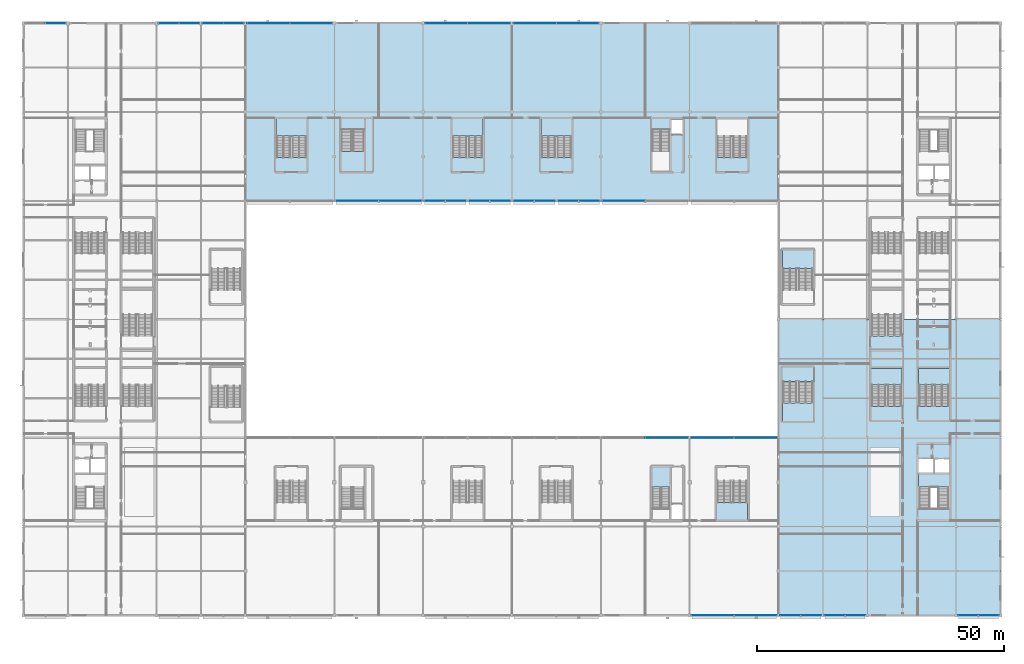
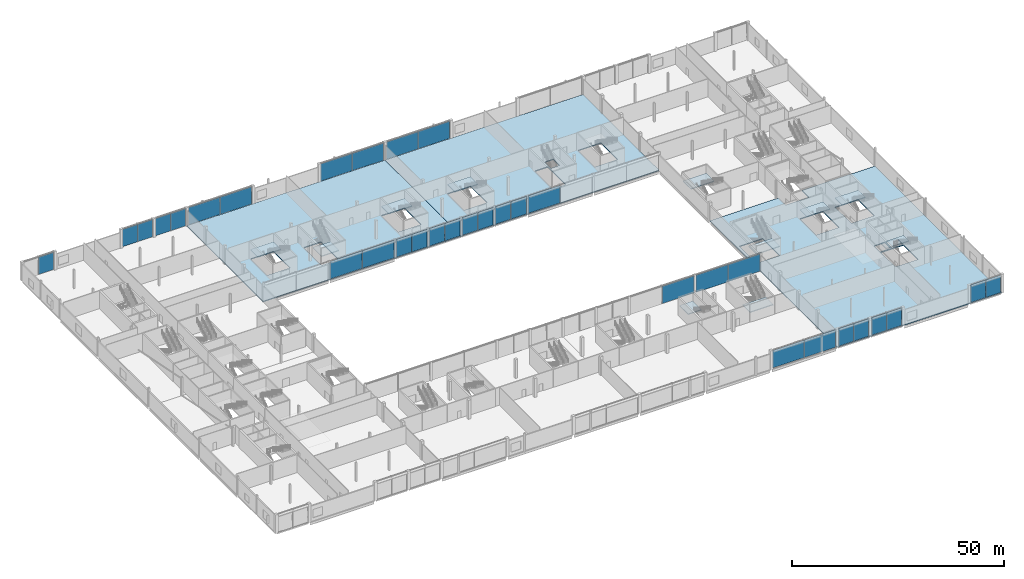
# One storey, part 56 of 111: 33 plates, 14 slabs, 29 elements without a shape of their own.
"""IFC4 building model written with IfcOpenShell, lengths in metres."""

from ifc_helpers import new_model, si_unit, direction, frame, origin, origin_2d, place, context, subcontext, project, spatial, polyline, rectangle, outline, extrude, material, layer, layer_set, type_object, element, aggregate, save


model = new_model("IFC4")

# Units and contexts
model_context = context("Model", 3, precision=1e-05, world=origin(), true_north=direction((0.0, 1.0)))
body_context = subcontext(model_context, "Body", "Model", "MODEL_VIEW")
ifc_project = project(units=[si_unit("LENGTHUNIT", "METRE"), si_unit("AREAUNIT", "SQUARE_METRE"), si_unit("VOLUMEUNIT", "CUBIC_METRE"), si_unit("PLANEANGLEUNIT", "RADIAN"), si_unit("MASSUNIT", "GRAM", prefix="KILO")], contexts=[model_context])

# Site, building, storey
site_placement = place(None, origin())
site = spatial("IfcSite", under=ifc_project, at=site_placement, CompositionType="ELEMENT")
building_placement = place(site_placement, origin())
building = spatial("IfcBuilding", under=site, at=building_placement, Name="Kisiwana Market Hall", CompositionType="ELEMENT")
storey_placement = place(building_placement, frame((0.0, 0.0, 11.39990234375)))
storey = spatial("IfcBuildingStorey", under=building, at=storey_placement, Name="L02", CompositionType="ELEMENT", Elevation=11.39990234375)

# Curtain wall, plates
ifc_material_1 = material(Name="Double-glazed solar-control low-E IGU", Category="glass")
ifc_layer_1 = layer(ifc_material_1, 0.159912109375)
ifc_layer_set_1 = layer_set([ifc_layer_1], Name="CW-GLD-W-6400")
curtain_wall_type_1 = type_object("IfcCurtainWallType", Name="CW-GLD-W-6400", PredefinedType="USERDEFINED", material=ifc_layer_set_1)
curtain_wall_1_placement = place(storey_placement, origin())
curtain_wall_1 = element("IfcCurtainWall", 1, at=curtain_wall_1_placement, inside=storey, type_object=curtain_wall_type_1, Name="Unitised curtain wall CW-059 (L02)", ObjectType="UNITISED CURTAIN WALL", PredefinedType="USERDEFINED")
ifc_material_2 = material(Name="Double-glazed solar-control low-E IGU", Category="glass")
ifc_layer_2 = layer(ifc_material_2, 0.02392578125)
ifc_layer_set_2 = layer_set([ifc_layer_2], Name="PL-IGU-24")
plate_type_1 = type_object("IfcPlateType", Name="PL-IGU-24", PredefinedType="CURTAIN_PANEL", material=ifc_layer_set_2)
plate_1_placement = place(storey_placement, frame((139.677490234375, 0.0, 0.06005859375), z_axis=(0.0, 0.0, 1.0), x_axis=(1.0, 0.0, 0.0)))
plate_1 = element("IfcPlate", 2, at=plate_1_placement, type_object=plate_type_1, Name="CW-059 panel 1.1", PredefinedType="CURTAIN_PANEL", context=body_context, shape_type="SweptSolid", body=[
    extrude(rectangle(XDim=8.5849609375, YDim=0.02392578125, at=origin_2d()), origin(), (0.0, 0.0, 1.0), 5.030029296875),
])
plate_2_placement = place(storey_placement, frame((148.322509765625, 0.0, 0.06005859375), z_axis=(0.0, 0.0, 1.0), x_axis=(1.0, 0.0, 0.0)))
plate_2 = element("IfcPlate", 3, at=plate_2_placement, type_object=plate_type_1, Name="CW-059 panel 2.1", PredefinedType="CURTAIN_PANEL", context=body_context, shape_type="SweptSolid", body=[
    extrude(rectangle(XDim=8.5849609375, YDim=0.02392578125, at=origin_2d()), origin(), (0.0, 0.0, 1.0), 5.030029296875),
])
aggregate(curtain_wall_1, [plate_1, plate_2])

curtain_wall_2_placement = place(storey_placement, origin())
curtain_wall_2 = element("IfcCurtainWall", 4, at=curtain_wall_2_placement, inside=storey, type_object=curtain_wall_type_1, Name="Unitised curtain wall CW-061 (L02)", ObjectType="UNITISED CURTAIN WALL", PredefinedType="USERDEFINED")
plate_3_placement = place(storey_placement, frame((164.427490234375, 0.0, 0.06005859375), z_axis=(0.0, 0.0, 1.0), x_axis=(1.0, 0.0, 0.0)))
plate_3 = element("IfcPlate", 5, at=plate_3_placement, type_object=plate_type_1, Name="CW-061 panel 1.1", PredefinedType="CURTAIN_PANEL", context=body_context, shape_type="SweptSolid", body=[
    extrude(rectangle(XDim=4.0849609375, YDim=0.02392578125, at=origin_2d()), origin(), (0.0, 0.0, 1.0), 5.030029296875),
])
plate_4_placement = place(storey_placement, frame((168.572509765625, 0.0, 0.06005859375), z_axis=(0.0, 0.0, 1.0), x_axis=(1.0, 0.0, 0.0)))
plate_4 = element("IfcPlate", 6, at=plate_4_placement, type_object=plate_type_1, Name="CW-061 panel 2.1", PredefinedType="CURTAIN_PANEL", context=body_context, shape_type="SweptSolid", body=[
    extrude(rectangle(XDim=4.0849609375, YDim=0.02392578125, at=origin_2d()), origin(), (0.0, 0.0, 1.0), 5.030029296875),
])
aggregate(curtain_wall_2, [plate_3, plate_4])

# Curtain wall, plate
ifc_material_3 = material(Name="Double-glazed solar-control low-E IGU", Category="glass")
ifc_layer_3 = layer(ifc_material_3, 0.159912109375)
ifc_layer_set_3 = layer_set([ifc_layer_3], Name="CW-GLD-E-7200")
curtain_wall_type_2 = type_object("IfcCurtainWallType", Name="CW-GLD-E-7200", PredefinedType="USERDEFINED", material=ifc_layer_set_3)
curtain_wall_3_placement = place(storey_placement, origin())
curtain_wall_3 = element("IfcCurtainWall", 7, at=curtain_wall_3_placement, inside=storey, type_object=curtain_wall_type_2, Name="Unitised curtain wall CW-069 (L02)", ObjectType="UNITISED CURTAIN WALL", PredefinedType="USERDEFINED")
plate_5_placement = place(storey_placement, frame((130.382080078125, 36.0, 0.06005859375), z_axis=(0.0, 0.0, 1.0), x_axis=(1.0, 0.0, 0.0)))
plate_5 = element("IfcPlate", 8, at=plate_5_placement, type_object=plate_type_1, Name="CW-069 panel 2.1", PredefinedType="CURTAIN_PANEL", context=body_context, shape_type="SweptSolid", body=[
    extrude(rectangle(XDim=8.7041015625, YDim=0.02392578125, at=origin_2d()), origin(), (0.0, 0.0, 1.0), 5.030029296875),
])
aggregate(curtain_wall_3, [plate_5])

# Curtain wall, plates
curtain_wall_4_placement = place(storey_placement, origin())
curtain_wall_4 = element("IfcCurtainWall", 9, at=curtain_wall_4_placement, inside=storey, type_object=curtain_wall_type_1, Name="Unitised curtain wall CW-073 (L02)", ObjectType="UNITISED CURTAIN WALL", PredefinedType="USERDEFINED")
plate_6_placement = place(storey_placement, frame((83.367919921875, 84.0, 0.06005859375), z_axis=(0.0, 0.0, 1.0), x_axis=(1.0, 0.0, 0.0)))
plate_6 = element("IfcPlate", 10, at=plate_6_placement, type_object=plate_type_1, Name="CW-073 panel 1.1", PredefinedType="CURTAIN_PANEL", context=body_context, shape_type="SweptSolid", body=[
    extrude(rectangle(XDim=4.2041015625, YDim=0.02392578125, at=origin_2d()), origin(), (0.0, 0.0, 1.0), 5.030029296875),
])
plate_7_placement = place(storey_placement, frame((87.632080078125, 84.0, 0.06005859375), z_axis=(0.0, 0.0, 1.0), x_axis=(1.0, 0.0, 0.0)))
plate_7 = element("IfcPlate", 11, at=plate_7_placement, type_object=plate_type_1, Name="CW-073 panel 2.1", PredefinedType="CURTAIN_PANEL", context=body_context, shape_type="SweptSolid", body=[
    extrude(rectangle(XDim=4.2041015625, YDim=0.02392578125, at=origin_2d()), origin(), (0.0, 0.0, 1.0), 5.030029296875),
])
aggregate(curtain_wall_4, [plate_6, plate_7])

curtain_wall_5_placement = place(storey_placement, origin())
curtain_wall_5 = element("IfcCurtainWall", 12, at=curtain_wall_5_placement, inside=storey, type_object=curtain_wall_type_1, Name="Unitised curtain wall CW-075 (L02)", ObjectType="UNITISED CURTAIN WALL", PredefinedType="USERDEFINED")
plate_8_placement = place(storey_placement, frame((101.367919921875, 84.0, 0.06005859375), z_axis=(0.0, 0.0, 1.0), x_axis=(1.0, 0.0, 0.0)))
plate_8 = element("IfcPlate", 13, at=plate_8_placement, type_object=plate_type_1, Name="CW-075 panel 1.1", PredefinedType="CURTAIN_PANEL", context=body_context, shape_type="SweptSolid", body=[
    extrude(rectangle(XDim=4.2041015625, YDim=0.02392578125, at=origin_2d()), origin(), (0.0, 0.0, 1.0), 5.030029296875),
])
plate_9_placement = place(storey_placement, frame((105.632080078125, 84.0, 0.06005859375), z_axis=(0.0, 0.0, 1.0), x_axis=(1.0, 0.0, 0.0)))
plate_9 = element("IfcPlate", 14, at=plate_9_placement, type_object=plate_type_1, Name="CW-075 panel 2.1", PredefinedType="CURTAIN_PANEL", context=body_context, shape_type="SweptSolid", body=[
    extrude(rectangle(XDim=4.2041015625, YDim=0.02392578125, at=origin_2d()), origin(), (0.0, 0.0, 1.0), 5.030029296875),
])
aggregate(curtain_wall_5, [plate_8, plate_9])

# Curtain wall, plate
curtain_wall_6_placement = place(storey_placement, origin())
curtain_wall_6 = element("IfcCurtainWall", 15, at=curtain_wall_6_placement, inside=storey, type_object=curtain_wall_type_1, Name="Unitised curtain wall CW-077 (L02)", ObjectType="UNITISED CURTAIN WALL", PredefinedType="USERDEFINED")
plate_10_placement = place(storey_placement, frame((121.617919921875, 84.0, 0.06005859375), z_axis=(0.0, 0.0, 1.0), x_axis=(1.0, 0.0, 0.0)))
plate_10 = element("IfcPlate", 16, at=plate_10_placement, type_object=plate_type_1, Name="CW-077 panel 1.1", PredefinedType="CURTAIN_PANEL", context=body_context, shape_type="SweptSolid", body=[
    extrude(rectangle(XDim=8.7041015625, YDim=0.02392578125, at=origin_2d()), origin(), (0.0, 0.0, 1.0), 5.030029296875),
])
aggregate(curtain_wall_6, [plate_10])

curtain_wall_7_placement = place(storey_placement, origin())
curtain_wall_7 = element("IfcCurtainWall", 17, at=curtain_wall_7_placement, inside=storey, type_object=curtain_wall_type_2, Name="Unitised curtain wall CW-079 (L02)", ObjectType="UNITISED CURTAIN WALL", PredefinedType="USERDEFINED")
plate_11_placement = place(storey_placement, frame((6.572509765625, 120.0, 0.06005859375), z_axis=(0.0, 0.0, 1.0), x_axis=(1.0, 0.0, 0.0)))
plate_11 = element("IfcPlate", 18, at=plate_11_placement, type_object=plate_type_1, Name="CW-079 panel 2.1", PredefinedType="CURTAIN_PANEL", context=body_context, shape_type="SweptSolid", body=[
    extrude(rectangle(XDim=4.0849609375, YDim=0.02392578125, at=origin_2d()), origin(), (0.0, 0.0, 1.0), 5.030029296875),
])
aggregate(curtain_wall_7, [plate_11])

# Curtain wall, plates
curtain_wall_8_placement = place(storey_placement, origin())
curtain_wall_8 = element("IfcCurtainWall", 19, at=curtain_wall_8_placement, inside=storey, type_object=curtain_wall_type_2, Name="Unitised curtain wall CW-081 (L02)", ObjectType="UNITISED CURTAIN WALL", PredefinedType="USERDEFINED")
plate_12_placement = place(storey_placement, frame((38.427490234375, 120.0, 0.06005859375), z_axis=(0.0, 0.0, 1.0), x_axis=(1.0, 0.0, 0.0)))
plate_12 = element("IfcPlate", 20, at=plate_12_placement, type_object=plate_type_1, Name="CW-081 panel 1.1", PredefinedType="CURTAIN_PANEL", context=body_context, shape_type="SweptSolid", body=[
    extrude(rectangle(XDim=4.0849609375, YDim=0.02392578125, at=origin_2d()), origin(), (0.0, 0.0, 1.0), 5.030029296875),
])
plate_13_placement = place(storey_placement, frame((42.572509765625, 120.0, 0.06005859375), z_axis=(0.0, 0.0, 1.0), x_axis=(1.0, 0.0, 0.0)))
plate_13 = element("IfcPlate", 21, at=plate_13_placement, type_object=plate_type_1, Name="CW-081 panel 2.1", PredefinedType="CURTAIN_PANEL", context=body_context, shape_type="SweptSolid", body=[
    extrude(rectangle(XDim=4.0849609375, YDim=0.02392578125, at=origin_2d()), origin(), (0.0, 0.0, 1.0), 5.030029296875),
])
aggregate(curtain_wall_8, [plate_12, plate_13])

curtain_wall_9_placement = place(storey_placement, origin())
curtain_wall_9 = element("IfcCurtainWall", 22, at=curtain_wall_9_placement, inside=storey, type_object=curtain_wall_type_2, Name="Unitised curtain wall CW-083 (L02)", ObjectType="UNITISED CURTAIN WALL", PredefinedType="USERDEFINED")
plate_14_placement = place(storey_placement, frame((85.677490234375, 120.0, 0.06005859375), z_axis=(0.0, 0.0, 1.0), x_axis=(1.0, 0.0, 0.0)))
plate_14 = element("IfcPlate", 23, at=plate_14_placement, type_object=plate_type_1, Name="CW-083 panel 1.1", PredefinedType="CURTAIN_PANEL", context=body_context, shape_type="SweptSolid", body=[
    extrude(rectangle(XDim=8.5849609375, YDim=0.02392578125, at=origin_2d()), origin(), (0.0, 0.0, 1.0), 5.030029296875),
])
plate_15_placement = place(storey_placement, frame((94.322509765625, 120.0, 0.06005859375), z_axis=(0.0, 0.0, 1.0), x_axis=(1.0, 0.0, 0.0)))
plate_15 = element("IfcPlate", 24, at=plate_15_placement, type_object=plate_type_1, Name="CW-083 panel 2.1", PredefinedType="CURTAIN_PANEL", context=body_context, shape_type="SweptSolid", body=[
    extrude(rectangle(XDim=8.5849609375, YDim=0.02392578125, at=origin_2d()), origin(), (0.0, 0.0, 1.0), 5.030029296875),
])
aggregate(curtain_wall_9, [plate_14, plate_15])

curtain_wall_10_placement = place(storey_placement, origin())
curtain_wall_10 = element("IfcCurtainWall", 25, at=curtain_wall_10_placement, inside=storey, type_object=curtain_wall_type_1, Name="Unitised curtain wall CW-060 (L02)", ObjectType="UNITISED CURTAIN WALL", PredefinedType="USERDEFINED")
ifc_material_4 = material(Name="Double-glazed acoustic laminated IGU", Category="glass")
ifc_layer_4 = layer(ifc_material_4, 0.028076171875)
ifc_layer_set_4 = layer_set([ifc_layer_4], Name="PL-IGU-28")
plate_type_2 = type_object("IfcPlateType", Name="PL-IGU-28", PredefinedType="CURTAIN_PANEL", material=ifc_layer_set_4)
plate_16_placement = place(storey_placement, frame((155.427490234375, 0.0, 0.06005859375), z_axis=(0.0, 0.0, 1.0), x_axis=(1.0, 0.0, 0.0)))
plate_16 = element("IfcPlate", 26, at=plate_16_placement, type_object=plate_type_2, Name="CW-060 panel 1.1", PredefinedType="CURTAIN_PANEL", context=body_context, shape_type="SweptSolid", body=[
    extrude(rectangle(XDim=4.0849609375, YDim=0.028076171875, at=origin_2d()), origin(), (0.0, 0.0, 1.0), 5.030029296875),
])
plate_17_placement = place(storey_placement, frame((159.572509765625, 0.0, 0.06005859375), z_axis=(0.0, 0.0, 1.0), x_axis=(1.0, 0.0, 0.0)))
plate_17 = element("IfcPlate", 27, at=plate_17_placement, type_object=plate_type_2, Name="CW-060 panel 2.1", PredefinedType="CURTAIN_PANEL", context=body_context, shape_type="SweptSolid", body=[
    extrude(rectangle(XDim=4.0849609375, YDim=0.028076171875, at=origin_2d()), origin(), (0.0, 0.0, 1.0), 5.030029296875),
])
aggregate(curtain_wall_10, [plate_16, plate_17])

curtain_wall_11_placement = place(storey_placement, origin())
curtain_wall_11 = element("IfcCurtainWall", 28, at=curtain_wall_11_placement, inside=storey, type_object=curtain_wall_type_1, Name="Unitised curtain wall CW-062 (L02)", ObjectType="UNITISED CURTAIN WALL", PredefinedType="USERDEFINED")
plate_18_placement = place(storey_placement, frame((191.427490234375, 0.0, 0.06005859375), z_axis=(0.0, 0.0, 1.0), x_axis=(1.0, 0.0, 0.0)))
plate_18 = element("IfcPlate", 29, at=plate_18_placement, type_object=plate_type_2, Name="CW-062 panel 1.1", PredefinedType="CURTAIN_PANEL", context=body_context, shape_type="SweptSolid", body=[
    extrude(rectangle(XDim=4.0849609375, YDim=0.028076171875, at=origin_2d()), origin(), (0.0, 0.0, 1.0), 5.030029296875),
])
plate_19_placement = place(storey_placement, frame((195.572509765625, 0.0, 0.06005859375), z_axis=(0.0, 0.0, 1.0), x_axis=(1.0, 0.0, 0.0)))
plate_19 = element("IfcPlate", 30, at=plate_19_placement, type_object=plate_type_2, Name="CW-062 panel 2.1", PredefinedType="CURTAIN_PANEL", context=body_context, shape_type="SweptSolid", body=[
    extrude(rectangle(XDim=4.0849609375, YDim=0.028076171875, at=origin_2d()), origin(), (0.0, 0.0, 1.0), 5.030029296875),
])
aggregate(curtain_wall_11, [plate_18, plate_19])

curtain_wall_12_placement = place(storey_placement, origin())
curtain_wall_12 = element("IfcCurtainWall", 31, at=curtain_wall_12_placement, inside=storey, type_object=curtain_wall_type_2, Name="Unitised curtain wall CW-070 (L02)", ObjectType="UNITISED CURTAIN WALL", PredefinedType="USERDEFINED")
plate_20_placement = place(storey_placement, frame((139.617919921875, 36.0, 0.06005859375), z_axis=(0.0, 0.0, 1.0), x_axis=(1.0, 0.0, 0.0)))
plate_20 = element("IfcPlate", 32, at=plate_20_placement, type_object=plate_type_2, Name="CW-070 panel 1.1", PredefinedType="CURTAIN_PANEL", context=body_context, shape_type="SweptSolid", body=[
    extrude(rectangle(XDim=8.7041015625, YDim=0.028076171875, at=origin_2d()), origin(), (0.0, 0.0, 1.0), 5.030029296875),
])
plate_21_placement = place(storey_placement, frame((148.382080078125, 36.0, 0.06005859375), z_axis=(0.0, 0.0, 1.0), x_axis=(1.0, 0.0, 0.0)))
plate_21 = element("IfcPlate", 33, at=plate_21_placement, type_object=plate_type_2, Name="CW-070 panel 2.1", PredefinedType="CURTAIN_PANEL", context=body_context, shape_type="SweptSolid", body=[
    extrude(rectangle(XDim=8.7041015625, YDim=0.028076171875, at=origin_2d()), origin(), (0.0, 0.0, 1.0), 5.030029296875),
])
aggregate(curtain_wall_12, [plate_20, plate_21])

curtain_wall_13_placement = place(storey_placement, origin())
curtain_wall_13 = element("IfcCurtainWall", 34, at=curtain_wall_13_placement, inside=storey, type_object=curtain_wall_type_1, Name="Unitised curtain wall CW-072 (L02)", ObjectType="UNITISED CURTAIN WALL", PredefinedType="USERDEFINED")
plate_22_placement = place(storey_placement, frame((67.617919921875, 84.0, 0.06005859375), z_axis=(0.0, 0.0, 1.0), x_axis=(1.0, 0.0, 0.0)))
plate_22 = element("IfcPlate", 35, at=plate_22_placement, type_object=plate_type_2, Name="CW-072 panel 1.1", PredefinedType="CURTAIN_PANEL", context=body_context, shape_type="SweptSolid", body=[
    extrude(rectangle(XDim=8.7041015625, YDim=0.028076171875, at=origin_2d()), origin(), (0.0, 0.0, 1.0), 5.030029296875),
])
plate_23_placement = place(storey_placement, frame((76.382080078125, 84.0, 0.06005859375), z_axis=(0.0, 0.0, 1.0), x_axis=(1.0, 0.0, 0.0)))
plate_23 = element("IfcPlate", 36, at=plate_23_placement, type_object=plate_type_2, Name="CW-072 panel 2.1", PredefinedType="CURTAIN_PANEL", context=body_context, shape_type="SweptSolid", body=[
    extrude(rectangle(XDim=8.7041015625, YDim=0.028076171875, at=origin_2d()), origin(), (0.0, 0.0, 1.0), 5.030029296875),
])
aggregate(curtain_wall_13, [plate_22, plate_23])

curtain_wall_14_placement = place(storey_placement, origin())
curtain_wall_14 = element("IfcCurtainWall", 37, at=curtain_wall_14_placement, inside=storey, type_object=curtain_wall_type_1, Name="Unitised curtain wall CW-074 (L02)", ObjectType="UNITISED CURTAIN WALL", PredefinedType="USERDEFINED")
plate_24_placement = place(storey_placement, frame((92.367919921875, 84.0, 0.06005859375), z_axis=(0.0, 0.0, 1.0), x_axis=(1.0, 0.0, 0.0)))
plate_24 = element("IfcPlate", 38, at=plate_24_placement, type_object=plate_type_2, Name="CW-074 panel 1.1", PredefinedType="CURTAIN_PANEL", context=body_context, shape_type="SweptSolid", body=[
    extrude(rectangle(XDim=4.2041015625, YDim=0.028076171875, at=origin_2d()), origin(), (0.0, 0.0, 1.0), 5.030029296875),
])
plate_25_placement = place(storey_placement, frame((96.632080078125, 84.0, 0.06005859375), z_axis=(0.0, 0.0, 1.0), x_axis=(1.0, 0.0, 0.0)))
plate_25 = element("IfcPlate", 39, at=plate_25_placement, type_object=plate_type_2, Name="CW-074 panel 2.1", PredefinedType="CURTAIN_PANEL", context=body_context, shape_type="SweptSolid", body=[
    extrude(rectangle(XDim=4.2041015625, YDim=0.028076171875, at=origin_2d()), origin(), (0.0, 0.0, 1.0), 5.030029296875),
])
aggregate(curtain_wall_14, [plate_24, plate_25])

curtain_wall_15_placement = place(storey_placement, origin())
curtain_wall_15 = element("IfcCurtainWall", 40, at=curtain_wall_15_placement, inside=storey, type_object=curtain_wall_type_1, Name="Unitised curtain wall CW-076 (L02)", ObjectType="UNITISED CURTAIN WALL", PredefinedType="USERDEFINED")
plate_26_placement = place(storey_placement, frame((110.367919921875, 84.0, 0.06005859375), z_axis=(0.0, 0.0, 1.0), x_axis=(1.0, 0.0, 0.0)))
plate_26 = element("IfcPlate", 41, at=plate_26_placement, type_object=plate_type_2, Name="CW-076 panel 1.1", PredefinedType="CURTAIN_PANEL", context=body_context, shape_type="SweptSolid", body=[
    extrude(rectangle(XDim=4.2041015625, YDim=0.028076171875, at=origin_2d()), origin(), (0.0, 0.0, 1.0), 5.030029296875),
])
plate_27_placement = place(storey_placement, frame((114.632080078125, 84.0, 0.06005859375), z_axis=(0.0, 0.0, 1.0), x_axis=(1.0, 0.0, 0.0)))
plate_27 = element("IfcPlate", 42, at=plate_27_placement, type_object=plate_type_2, Name="CW-076 panel 2.1", PredefinedType="CURTAIN_PANEL", context=body_context, shape_type="SweptSolid", body=[
    extrude(rectangle(XDim=4.2041015625, YDim=0.028076171875, at=origin_2d()), origin(), (0.0, 0.0, 1.0), 5.030029296875),
])
aggregate(curtain_wall_15, [plate_26, plate_27])

curtain_wall_16_placement = place(storey_placement, origin())
curtain_wall_16 = element("IfcCurtainWall", 43, at=curtain_wall_16_placement, inside=storey, type_object=curtain_wall_type_2, Name="Unitised curtain wall CW-080 (L02)", ObjectType="UNITISED CURTAIN WALL", PredefinedType="USERDEFINED")
plate_28_placement = place(storey_placement, frame((29.427490234375, 120.0, 0.06005859375), z_axis=(0.0, 0.0, 1.0), x_axis=(1.0, 0.0, 0.0)))
plate_28 = element("IfcPlate", 44, at=plate_28_placement, type_object=plate_type_2, Name="CW-080 panel 1.1", PredefinedType="CURTAIN_PANEL", context=body_context, shape_type="SweptSolid", body=[
    extrude(rectangle(XDim=4.0849609375, YDim=0.028076171875, at=origin_2d()), origin(), (0.0, 0.0, 1.0), 5.030029296875),
])
plate_29_placement = place(storey_placement, frame((33.572509765625, 120.0, 0.06005859375), z_axis=(0.0, 0.0, 1.0), x_axis=(1.0, 0.0, 0.0)))
plate_29 = element("IfcPlate", 45, at=plate_29_placement, type_object=plate_type_2, Name="CW-080 panel 2.1", PredefinedType="CURTAIN_PANEL", context=body_context, shape_type="SweptSolid", body=[
    extrude(rectangle(XDim=4.0849609375, YDim=0.028076171875, at=origin_2d()), origin(), (0.0, 0.0, 1.0), 5.030029296875),
])
aggregate(curtain_wall_16, [plate_28, plate_29])

curtain_wall_17_placement = place(storey_placement, origin())
curtain_wall_17 = element("IfcCurtainWall", 46, at=curtain_wall_17_placement, inside=storey, type_object=curtain_wall_type_2, Name="Unitised curtain wall CW-082 (L02)", ObjectType="UNITISED CURTAIN WALL", PredefinedType="USERDEFINED")
plate_30_placement = place(storey_placement, frame((49.677490234375, 120.0, 0.06005859375), z_axis=(0.0, 0.0, 1.0), x_axis=(1.0, 0.0, 0.0)))
plate_30 = element("IfcPlate", 47, at=plate_30_placement, type_object=plate_type_2, Name="CW-082 panel 1.1", PredefinedType="CURTAIN_PANEL", context=body_context, shape_type="SweptSolid", body=[
    extrude(rectangle(XDim=8.5849609375, YDim=0.028076171875, at=origin_2d()), origin(), (0.0, 0.0, 1.0), 5.030029296875),
])
plate_31_placement = place(storey_placement, frame((58.322509765625, 120.0, 0.06005859375), z_axis=(0.0, 0.0, 1.0), x_axis=(1.0, 0.0, 0.0)))
plate_31 = element("IfcPlate", 48, at=plate_31_placement, type_object=plate_type_2, Name="CW-082 panel 2.1", PredefinedType="CURTAIN_PANEL", context=body_context, shape_type="SweptSolid", body=[
    extrude(rectangle(XDim=8.5849609375, YDim=0.028076171875, at=origin_2d()), origin(), (0.0, 0.0, 1.0), 5.030029296875),
])
aggregate(curtain_wall_17, [plate_30, plate_31])

curtain_wall_18_placement = place(storey_placement, origin())
curtain_wall_18 = element("IfcCurtainWall", 49, at=curtain_wall_18_placement, inside=storey, type_object=curtain_wall_type_2, Name="Unitised curtain wall CW-084 (L02)", ObjectType="UNITISED CURTAIN WALL", PredefinedType="USERDEFINED")
plate_32_placement = place(storey_placement, frame((103.677490234375, 120.0, 0.06005859375), z_axis=(0.0, 0.0, 1.0), x_axis=(1.0, 0.0, 0.0)))
plate_32 = element("IfcPlate", 50, at=plate_32_placement, type_object=plate_type_2, Name="CW-084 panel 1.1", PredefinedType="CURTAIN_PANEL", context=body_context, shape_type="SweptSolid", body=[
    extrude(rectangle(XDim=8.5849609375, YDim=0.028076171875, at=origin_2d()), origin(), (0.0, 0.0, 1.0), 5.030029296875),
])
plate_33_placement = place(storey_placement, frame((112.322509765625, 120.0, 0.06005859375), z_axis=(0.0, 0.0, 1.0), x_axis=(1.0, 0.0, 0.0)))
plate_33 = element("IfcPlate", 51, at=plate_33_placement, type_object=plate_type_2, Name="CW-084 panel 2.1", PredefinedType="CURTAIN_PANEL", context=body_context, shape_type="SweptSolid", body=[
    extrude(rectangle(XDim=8.5849609375, YDim=0.028076171875, at=origin_2d()), origin(), (0.0, 0.0, 1.0), 5.030029296875),
])
aggregate(curtain_wall_18, [plate_32, plate_33])

# Stair, slab
ifc_material_5 = material(Name="Concrete C32/40", Category="concrete")
stair_type_1 = type_object("IfcStairType", Name="ST-POD-5400", PredefinedType="TWO_STRAIGHT_RUN_STAIR", material=ifc_material_5)
stair_1_placement = place(storey_placement, origin())
stair_1 = element("IfcStair", 52, at=stair_1_placement, inside=storey, type_object=stair_type_1, Name="Escape stair ST-E2-L02", PredefinedType="TWO_STRAIGHT_RUN_STAIR")
ifc_material_6 = material(Name="Concrete C32/40", Category="concrete")
ifc_layer_5 = layer(ifc_material_6, 0.239990234375)
ifc_layer_set_5 = layer_set([ifc_layer_5], Name="SL-LANDING-160")
slab_type_1 = type_object("IfcSlabType", Name="SL-LANDING-160", PredefinedType="LANDING", material=ifc_layer_set_5)
slab_1_placement = place(storey_placement, frame((0.0, 0.0, 2.460205078125)))
slab_1 = element("IfcSlab", 53, at=slab_1_placement, type_object=slab_type_1, Name="ST-E2-L02 landing 1 S-147", PredefinedType="LANDING", context=body_context, shape_type="SweptSolid", body=[
    extrude(outline(polyline([(181.3798828125, 25.9990234375), (187.6201171875, 25.9990234375), (187.6201171875, 28.6201171875), (181.3798828125, 28.6201171875), (181.3798828125, 25.9990234375)])), origin(), (0.0, 0.0, 1.0), 0.239990234375),
])
aggregate(stair_1, [slab_1])

stair_2_placement = place(storey_placement, origin())
stair_2 = element("IfcStair", 54, at=stair_2_placement, inside=storey, type_object=stair_type_1, Name="Escape stair ST-S2-L02", PredefinedType="TWO_STRAIGHT_RUN_STAIR")
slab_2_placement = place(storey_placement, frame((0.0, 0.0, 2.460205078125)))
slab_2 = element("IfcSlab", 55, at=slab_2_placement, type_object=slab_type_1, Name="ST-S2-L02 landing 1 S-161", PredefinedType="LANDING", context=body_context, shape_type="SweptSolid", body=[
    extrude(outline(polyline([(127.360107421875, 25.97900390625), (131.0, 25.97900390625), (131.0, 30.0400390625), (127.360107421875, 30.0400390625), (127.360107421875, 25.97900390625)])), origin(), (0.0, 0.0, 1.0), 0.239990234375),
])
aggregate(stair_2, [slab_2])

stair_3_placement = place(storey_placement, origin())
stair_3 = element("IfcStair", 56, at=stair_3_placement, inside=storey, type_object=stair_type_1, Name="Escape stair ST-N1-L02", PredefinedType="TWO_STRAIGHT_RUN_STAIR")
slab_3_placement = place(storey_placement, frame((0.0, 0.0, 2.460205078125)))
slab_3 = element("IfcSlab", 57, at=slab_3_placement, type_object=slab_type_1, Name="ST-N1-L02 landing 1 S-154", PredefinedType="LANDING", context=body_context, shape_type="SweptSolid", body=[
    extrude(outline(polyline([(64.340087890625, 89.93994140625), (69.080078125, 89.93994140625), (69.080078125, 94.041015625), (64.340087890625, 94.041015625), (64.340087890625, 89.93994140625)])), origin(), (0.0, 0.0, 1.0), 0.239990234375),
])
aggregate(stair_3, [slab_3])

ifc_material_7 = material(Name="Concrete C32/40", Category="concrete")
stair_type_2 = type_object("IfcStairType", Name="ST-ESC-5400", PredefinedType="TWO_STRAIGHT_RUN_STAIR", material=ifc_material_7)
stair_4_placement = place(storey_placement, origin())
stair_4 = element("IfcStair", 58, at=stair_4_placement, inside=storey, type_object=stair_type_2, Name="Escape stair ST-E3-L02", PredefinedType="TWO_STRAIGHT_RUN_STAIR")
slab_4_placement = place(storey_placement, frame((0.0, 0.0, 2.460205078125)))
slab_4 = element("IfcSlab", 59, at=slab_4_placement, type_object=slab_type_1, Name="ST-E3-L02 landing 1 S-148", PredefinedType="LANDING", context=body_context, shape_type="SweptSolid", body=[
    extrude(outline(polyline([(181.340087890625, 46.70947265625), (187.659912109375, 46.70947265625), (187.659912109375, 50.06005859375), (181.340087890625, 50.06005859375), (181.340087890625, 46.70947265625)])), origin(), (0.0, 0.0, 1.0), 0.239990234375),
])
aggregate(stair_4, [slab_4])

stair_5_placement = place(storey_placement, origin())
stair_5 = element("IfcStair", 60, at=stair_5_placement, inside=storey, type_object=stair_type_2, Name="Escape stair ST-E7-L02", PredefinedType="TWO_STRAIGHT_RUN_STAIR")
slab_5_placement = place(storey_placement, frame((0.0, 0.0, 2.460205078125)))
slab_5 = element("IfcSlab", 61, at=slab_5_placement, type_object=slab_type_1, Name="ST-E7-L02 landing 1 S-151", PredefinedType="LANDING", context=body_context, shape_type="SweptSolid", body=[
    extrude(outline(polyline([(171.739990234375, 46.70947265625), (178.06005859375, 46.70947265625), (178.06005859375, 50.06005859375), (171.739990234375, 50.06005859375), (171.739990234375, 46.70947265625)])), origin(), (0.0, 0.0, 1.0), 0.239990234375),
])
aggregate(stair_5, [slab_5])

stair_6_placement = place(storey_placement, origin())
stair_6 = element("IfcStair", 62, at=stair_6_placement, inside=storey, type_object=stair_type_2, Name="Escape stair ST-E9-L02", PredefinedType="TWO_STRAIGHT_RUN_STAIR")
slab_6_placement = place(storey_placement, frame((0.0, 0.0, 2.460205078125)))
slab_6 = element("IfcSlab", 63, at=slab_6_placement, type_object=slab_type_1, Name="ST-E9-L02 landing 1 S-153", PredefinedType="LANDING", context=body_context, shape_type="SweptSolid", body=[
    extrude(outline(polyline([(153.77001953125, 39.340087890625), (160.090087890625, 39.340087890625), (160.090087890625, 43.090576171875), (153.77001953125, 43.090576171875), (153.77001953125, 39.340087890625)])), origin(), (0.0, 0.0, 1.0), 0.239990234375),
])
aggregate(stair_6, [slab_6])

stair_7_placement = place(storey_placement, origin())
stair_7 = element("IfcStair", 64, at=stair_7_placement, inside=storey, type_object=stair_type_2, Name="Escape stair ST-E10-L02", PredefinedType="TWO_STRAIGHT_RUN_STAIR")
slab_7_placement = place(storey_placement, frame((0.0, 0.0, 2.460205078125)))
slab_7 = element("IfcSlab", 65, at=slab_7_placement, type_object=slab_type_1, Name="ST-E10-L02 landing 1 S-146", PredefinedType="LANDING", context=body_context, shape_type="SweptSolid", body=[
    extrude(outline(polyline([(153.77001953125, 70.3095703125), (160.090087890625, 70.3095703125), (160.090087890625, 74.06005859375), (153.77001953125, 74.06005859375), (153.77001953125, 70.3095703125)])), origin(), (0.0, 0.0, 1.0), 0.239990234375),
])
aggregate(stair_7, [slab_7])

stair_8_placement = place(storey_placement, origin())
stair_8 = element("IfcStair", 66, at=stair_8_placement, inside=storey, type_object=stair_type_2, Name="Escape stair ST-N3-L02", PredefinedType="TWO_STRAIGHT_RUN_STAIR")
slab_8_placement = place(storey_placement, frame((0.0, 0.0, 2.460205078125)))
slab_8 = element("IfcSlab", 67, at=slab_8_placement, type_object=slab_type_1, Name="ST-N3-L02 landing 1 S-156", PredefinedType="LANDING", context=body_context, shape_type="SweptSolid", body=[
    extrude(outline(polyline([(51.139892578125, 97.109619140625), (57.4599609375, 97.109619140625), (57.4599609375, 100.659912109375), (51.139892578125, 100.659912109375), (51.139892578125, 97.109619140625)])), origin(), (0.0, 0.0, 1.0), 0.239990234375),
])
aggregate(stair_8, [slab_8])

stair_9_placement = place(storey_placement, origin())
stair_9 = element("IfcStair", 68, at=stair_9_placement, inside=storey, type_object=stair_type_2, Name="Escape stair ST-N4-L02", PredefinedType="TWO_STRAIGHT_RUN_STAIR")
slab_9_placement = place(storey_placement, frame((0.0, 0.0, 2.460205078125)))
slab_9 = element("IfcSlab", 69, at=slab_9_placement, type_object=slab_type_1, Name="ST-N4-L02 landing 1 S-157", PredefinedType="LANDING", context=body_context, shape_type="SweptSolid", body=[
    extrude(outline(polyline([(86.840087890625, 97.109619140625), (93.159912109375, 97.109619140625), (93.159912109375, 100.659912109375), (86.840087890625, 100.659912109375), (86.840087890625, 97.109619140625)])), origin(), (0.0, 0.0, 1.0), 0.239990234375),
])
aggregate(stair_9, [slab_9])

stair_10_placement = place(storey_placement, origin())
stair_10 = element("IfcStair", 70, at=stair_10_placement, inside=storey, type_object=stair_type_2, Name="Escape stair ST-N5-L02", PredefinedType="TWO_STRAIGHT_RUN_STAIR")
slab_10_placement = place(storey_placement, frame((0.0, 0.0, 2.460205078125)))
slab_10 = element("IfcSlab", 71, at=slab_10_placement, type_object=slab_type_1, Name="ST-N5-L02 landing 1 S-158", PredefinedType="LANDING", context=body_context, shape_type="SweptSolid", body=[
    extrude(outline(polyline([(104.840087890625, 97.109619140625), (111.159912109375, 97.109619140625), (111.159912109375, 100.659912109375), (104.840087890625, 100.659912109375), (104.840087890625, 97.109619140625)])), origin(), (0.0, 0.0, 1.0), 0.239990234375),
])
aggregate(stair_10, [slab_10])

stair_11_placement = place(storey_placement, origin())
stair_11 = element("IfcStair", 72, at=stair_11_placement, inside=storey, type_object=stair_type_2, Name="Escape stair ST-S6-L02", PredefinedType="TWO_STRAIGHT_RUN_STAIR")
slab_11_placement = place(storey_placement, frame((0.0, 0.0, 2.460205078125)))
slab_11 = element("IfcSlab", 73, at=slab_11_placement, type_object=slab_type_1, Name="ST-S6-L02 landing 1 S-165", PredefinedType="LANDING", context=body_context, shape_type="SweptSolid", body=[
    extrude(outline(polyline([(140.43994140625, 19.340087890625), (146.760009765625, 19.340087890625), (146.760009765625, 22.890380859375), (140.43994140625, 22.890380859375), (140.43994140625, 19.340087890625)])), origin(), (0.0, 0.0, 1.0), 0.239990234375),
])
aggregate(stair_11, [slab_11])

# Slabs
ifc_material_8 = material(Name="Concrete C32/40", Category="concrete")
ifc_layer_6 = layer(ifc_material_8, 0.25)
ifc_layer_set_6 = layer_set([ifc_layer_6], Name="SL-POD-220")
slab_type_2 = type_object("IfcSlabType", Name="SL-POD-220", PredefinedType="FLOOR", material=ifc_layer_set_6)
slab_12_placement = place(storey_placement, frame((0.0, 0.0, -0.25)))
element("IfcSlab", 74, at=slab_12_placement, inside=storey, type_object=slab_type_2, Name="Structural slab S-139", PredefinedType="FLOOR", context=body_context, shape_type="SweptSolid", body=[
    extrude(outline(polyline([(153.0, 0.0), (198.0, 0.0), (198.0, 60.0), (178.0400390625, 60.0), (178.0400390625, 56.659912109375), (171.760009765625, 56.659912109375), (171.760009765625, 60.0), (153.0, 60.0), (153.0, 0.0)]), holes=[polyline([(181.39990234375, 21.64990234375), (187.60009765625, 21.64990234375), (187.60009765625, 28.60009765625), (181.39990234375, 28.60009765625), (181.39990234375, 21.64990234375)]), polyline([(181.39990234375, 28.919921875), (184.340087890625, 28.919921875), (184.340087890625, 31.64990234375), (181.39990234375, 31.64990234375), (181.39990234375, 28.919921875)]), polyline([(184.659912109375, 28.919921875), (187.60009765625, 28.919921875), (187.60009765625, 31.64990234375), (184.659912109375, 31.64990234375), (184.659912109375, 28.919921875)]), polyline([(181.360107421875, 42.3798828125), (187.639892578125, 42.3798828125), (187.639892578125, 50.0400390625), (181.360107421875, 50.0400390625), (181.360107421875, 42.3798828125)]), polyline([(171.760009765625, 42.3798828125), (178.0400390625, 42.3798828125), (178.0400390625, 50.0400390625), (171.760009765625, 50.0400390625), (171.760009765625, 42.3798828125)]), polyline([(153.7900390625, 39.360107421875), (160.070068359375, 39.360107421875), (160.070068359375, 47.419921875), (153.7900390625, 47.419921875), (153.7900390625, 39.360107421875)])]), origin(), (0.0, 0.0, 1.0), 0.25),
])
slab_13_placement = place(storey_placement, frame((0.0, 0.0, -0.25)))
element("IfcSlab", 75, at=slab_13_placement, inside=storey, type_object=slab_type_2, Name="Structural slab S-143", PredefinedType="FLOOR", context=body_context, shape_type="SweptSolid", body=[
    extrude(outline(polyline([(45.0, 84.0), (99.0, 84.0), (99.0, 120.0), (45.0, 120.0), (45.0, 84.0)]), holes=[polyline([(64.360107421875, 89.9599609375), (69.06005859375, 89.9599609375), (69.06005859375, 98.389892578125), (64.360107421875, 98.389892578125), (64.360107421875, 89.9599609375)]), polyline([(51.159912109375, 92.780029296875), (57.43994140625, 92.780029296875), (57.43994140625, 100.639892578125), (51.159912109375, 100.639892578125), (51.159912109375, 92.780029296875)]), polyline([(86.860107421875, 92.780029296875), (93.139892578125, 92.780029296875), (93.139892578125, 100.639892578125), (86.860107421875, 100.639892578125), (86.860107421875, 92.780029296875)])]), origin(), (0.0, 0.0, 1.0), 0.25),
])
slab_14_placement = place(storey_placement, frame((0.0, 0.0, -0.25)))
element("IfcSlab", 76, at=slab_14_placement, inside=storey, type_object=slab_type_2, Name="Structural slab S-144", PredefinedType="FLOOR", context=body_context, shape_type="SweptSolid", body=[
    extrude(outline(polyline([(99.0, 84.0), (153.0, 84.0), (153.0, 120.0), (99.0, 120.0), (99.0, 84.0)]), holes=[polyline([(127.360107421875, 89.9599609375), (130.9599609375, 89.9599609375), (130.9599609375, 98.389892578125), (127.360107421875, 98.389892578125), (127.360107421875, 89.9599609375)]), polyline([(131.280029296875, 97.5400390625), (133.639892578125, 97.5400390625), (133.639892578125, 100.43994140625), (131.280029296875, 100.43994140625), (131.280029296875, 97.5400390625)]), polyline([(104.860107421875, 92.780029296875), (111.139892578125, 92.780029296875), (111.139892578125, 100.639892578125), (104.860107421875, 100.639892578125), (104.860107421875, 92.780029296875)]), polyline([(140.4599609375, 92.780029296875), (146.739990234375, 92.780029296875), (146.739990234375, 100.639892578125), (140.4599609375, 100.639892578125), (140.4599609375, 92.780029296875)])]), origin(), (0.0, 0.0, 1.0), 0.25),
])

save(model, "model.ifc")
